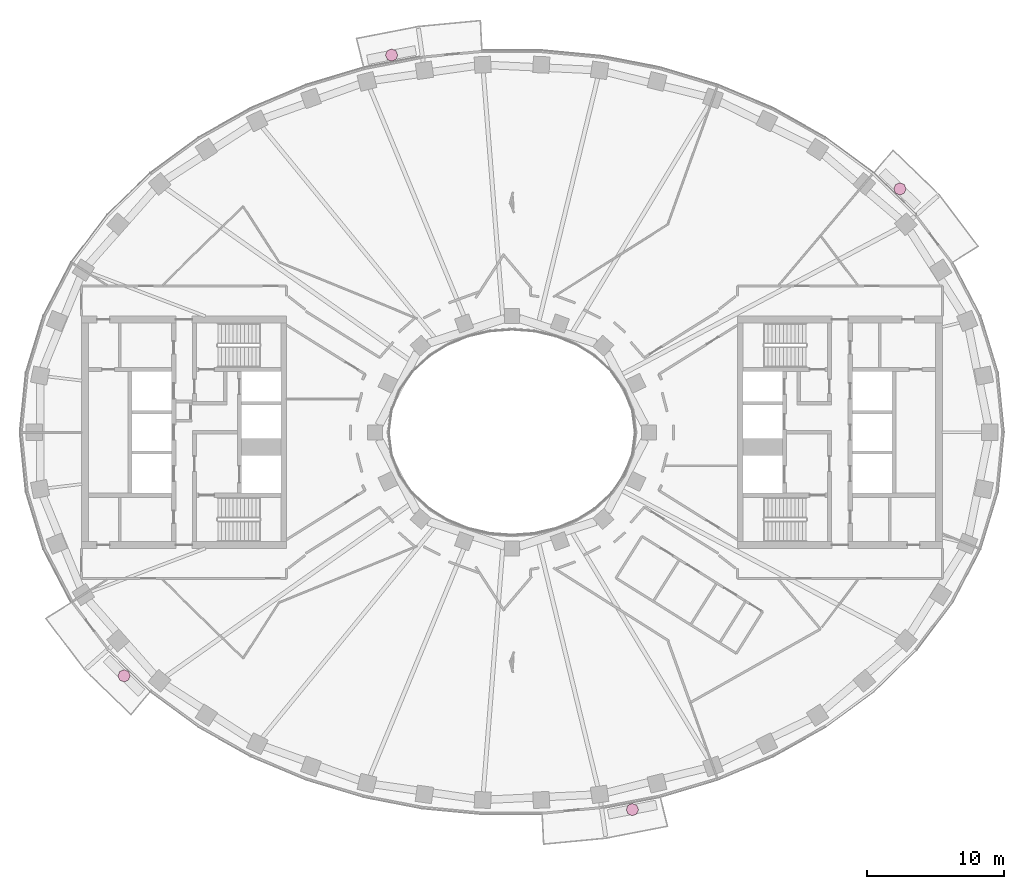
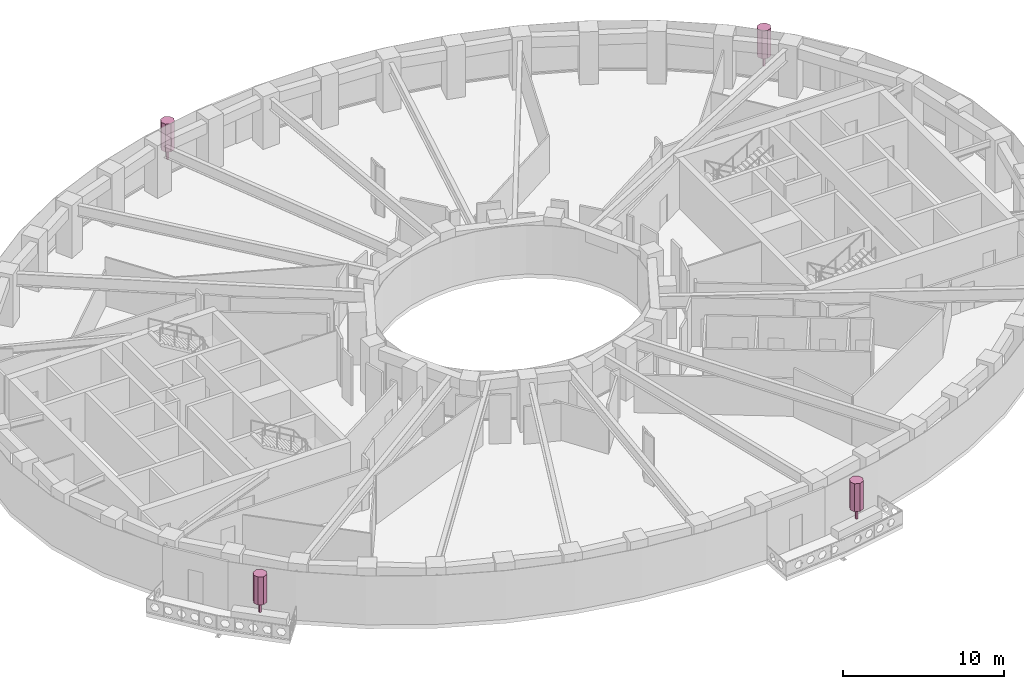
# One storey, part 16 of 16: 4 furnishings.
"""IFC4 building model written with IfcOpenShell, lengths in metres."""

from ifc_helpers import new_model, si_unit, direction, frame, origin, origin_2d, place, context, subcontext, project, spatial, polyline, rectangle, outline, extrude, material, type_object, element, save


model = new_model("IFC4")

# Units and contexts
model_context = context("Model", 3, precision=1e-05, world=origin(), true_north=direction((0.0, 1.0)))
body_context = subcontext(model_context, "Body", "Model", "MODEL_VIEW")
ifc_project = project(units=[si_unit("LENGTHUNIT", "METRE"), si_unit("AREAUNIT", "SQUARE_METRE"), si_unit("VOLUMEUNIT", "CUBIC_METRE"), si_unit("PLANEANGLEUNIT", "RADIAN"), si_unit("MASSUNIT", "GRAM", prefix="KILO")], contexts=[model_context])

# Site, building, storey
site_placement = place(None, origin())
site = spatial("IfcSite", under=ifc_project, at=site_placement, CompositionType="ELEMENT")
building_placement = place(site_placement, origin())
building = spatial("IfcBuilding", under=site, at=building_placement, Name="Noorbagh Ring Tower", CompositionType="ELEMENT")
storey_placement = place(building_placement, frame((0.0, 0.0, 162.0)))
storey = spatial("IfcBuildingStorey", under=building, at=storey_placement, Name="L37", CompositionType="ELEMENT", Elevation=162.0)

# Furnishings
ifc_material = material(Name="Planting foliage green")
furnishing_element_type = type_object("IfcFurnishingElementType", Name="ENV-TREE", material=ifc_material)
for number, where, z_axis, x_axis, name in (
    (1, (28.3837890625, 17.814208984375, 0.60009765625), (0.0, 0.0, 1.0), (1.0, 0.0, 0.0), "Tree BN01"),
    (2, (-8.807861328125, 27.603515625, 0.60009765625), (0.0, 0.0, 1.0), (1.0, 0.0, 0.0), "Tree BN04"),
    (3, (-28.3837890625, -17.814208984375, 0.60009765625), (0.0, 0.0, 1.0), (1.0, 0.0, 0.0), "Tree BS01"),
    (4, (8.807861328125, -27.603515625, 0.60009765625), (0.0, 0.0, 1.0), (1.0, 0.0, 0.0), "Tree BS04"),
):
    element("IfcFurnishingElement", number, at=place(storey_placement, frame(where, z_axis=z_axis, x_axis=x_axis)), inside=storey, type_object=furnishing_element_type, Name=name, context=body_context, shape_type="SweptSolid", body=[
        extrude(rectangle(XDim=0.1201171875, YDim=0.1201171875, at=origin_2d()), origin(), (0.0, 0.0, 1.0), 0.825927734375),
        extrude(outline(polyline([(0.449951171875, 0.0), (0.318115234375, 0.318115234375), (0.0, 0.449951171875), (-0.318115234375, 0.318115234375), (-0.449951171875, 0.0), (-0.318115234375, -0.318115234375), (0.0, -0.449951171875), (0.318115234375, -0.318115234375), (0.449951171875, 0.0)])), frame((0.0, 0.0, 0.825927734375)), (0.0, 0.0, 1.0), 2.1240234375),
    ])

save(model, "model.ifc")
